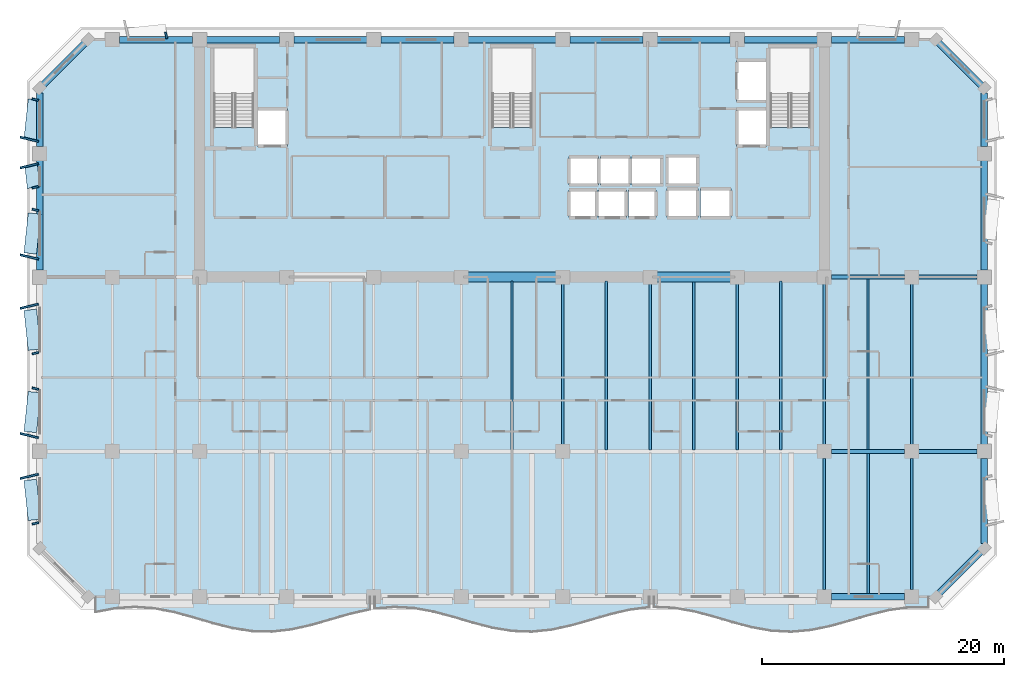
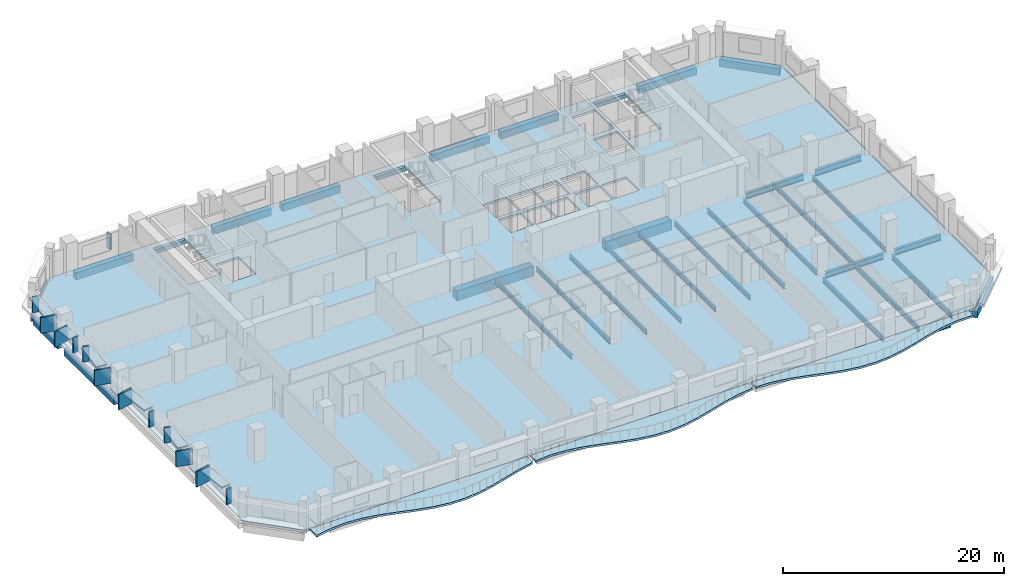
# One storey, part 2 of 14: 38 beams, 19 plates, 4 slabs.
"""IFC4 building model written with IfcOpenShell, lengths in metres."""

from ifc_helpers import new_model, si_unit, direction, frame, origin, origin_2d, place, context, subcontext, project, spatial, polyline, rectangle, i_section, outline, extrude, material, layer, layer_set, material_profile, profile_set, type_object, element, save


model = new_model("IFC4")

# Units and contexts
model_context = context("Model", 3, precision=1e-05, world=origin(), true_north=direction((0.0, 1.0)))
body_context = subcontext(model_context, "Body", "Model", "MODEL_VIEW")
ifc_project = project(units=[si_unit("LENGTHUNIT", "METRE"), si_unit("AREAUNIT", "SQUARE_METRE"), si_unit("VOLUMEUNIT", "CUBIC_METRE"), si_unit("PLANEANGLEUNIT", "RADIAN"), si_unit("MASSUNIT", "GRAM", prefix="KILO")], contexts=[model_context])

# Site, building, storey
site_placement = place(None, origin())
site = spatial("IfcSite", under=ifc_project, at=site_placement, CompositionType="ELEMENT")
building_placement = place(site_placement, origin())
building = spatial("IfcBuilding", under=site, at=building_placement, Name="Kaelvorn Grand Hotel", CompositionType="ELEMENT")
storey_placement = place(building_placement, frame((0.0, 0.0, 161.949951171875)))
storey = spatial("IfcBuildingStorey", under=building, at=storey_placement, Name="L39", CompositionType="ELEMENT", Elevation=161.949951171875)

# Beams
ifc_material_1 = material(Name="Steel S355", Category="steel")
ifc_material_profile_1 = material_profile(ifc_material_1, i_section(OverallWidth=0.300048828125, OverallDepth=0.64990234375, WebThickness=0.01611328125, FlangeThickness=0.031005859375, FilletRadius=0.027099609375, at=origin_2d()), Name="HEB 650")
ifc_profile_set_1 = profile_set([ifc_material_profile_1], Name="Steel S355")
beam_type_1 = type_object("IfcBeamType", Name="BM-G-HEB650-S355", PredefinedType="BEAM", material=ifc_profile_set_1)
beam_1_placement = place(storey_placement, frame((68.385009765625, 15.0, -0.56494140625), z_axis=(1.0, 0.0, 0.0), x_axis=(0.0, 1.0, 0.0)))
element("IfcBeam", 1, at=beam_1_placement, inside=storey, type_object=beam_type_1, Name="L39 Primary Spine Steel Girder G-15 06", PredefinedType="BEAM", context=body_context, shape_type="SweptSolid", body=[
    extrude(i_section(OverallWidth=0.300048828125, OverallDepth=0.64990234375, WebThickness=0.01611328125, FlangeThickness=0.031005859375, FilletRadius=0.027099609375, at=origin_2d()), origin(), (0.0, 0.0, 1.0), 6.030029296875),
])
beam_2_placement = place(storey_placement, frame((75.5849609375, 15.0, -0.56494140625), z_axis=(1.0, 0.0, 0.0), x_axis=(0.0, 1.0, 0.0)))
element("IfcBeam", 2, at=beam_2_placement, inside=storey, type_object=beam_type_1, Name="L39 Primary Spine Steel Girder G-15 07", PredefinedType="BEAM", context=body_context, shape_type="SweptSolid", body=[
    extrude(i_section(OverallWidth=0.300048828125, OverallDepth=0.64990234375, WebThickness=0.01611328125, FlangeThickness=0.031005859375, FilletRadius=0.027099609375, at=origin_2d()), origin(), (0.0, 0.0, 1.0), 4.830078125),
])
beam_3_placement = place(storey_placement, frame((68.385009765625, 29.39990234375, -0.56494140625), z_axis=(1.0, 0.0, 0.0), x_axis=(0.0, 1.0, 0.0)))
element("IfcBeam", 3, at=beam_3_placement, inside=storey, type_object=beam_type_1, Name="L39 East Core Wing Steel Girder G-29E 01", PredefinedType="BEAM", context=body_context, shape_type="SweptSolid", body=[
    extrude(i_section(OverallWidth=0.300048828125, OverallDepth=0.64990234375, WebThickness=0.01611328125, FlangeThickness=0.031005859375, FilletRadius=0.027099609375, at=origin_2d()), origin(), (0.0, 0.0, 1.0), 6.030029296875),
])
beam_4_placement = place(storey_placement, frame((75.5849609375, 29.39990234375, -0.56494140625), z_axis=(1.0, 0.0, 0.0), x_axis=(0.0, 1.0, 0.0)))
element("IfcBeam", 4, at=beam_4_placement, inside=storey, type_object=beam_type_1, Name="L39 East Core Wing Steel Girder G-29E 02", PredefinedType="BEAM", context=body_context, shape_type="SweptSolid", body=[
    extrude(i_section(OverallWidth=0.300048828125, OverallDepth=0.64990234375, WebThickness=0.01611328125, FlangeThickness=0.031005859375, FilletRadius=0.027099609375, at=origin_2d()), origin(), (0.0, 0.0, 1.0), 4.830078125),
])
ifc_material_profile_2 = material_profile(ifc_material_1, i_section(OverallWidth=0.199951171875, OverallDepth=0.5, WebThickness=0.01025390625, FlangeThickness=0.01611328125, FilletRadius=0.02099609375, at=origin_2d()), Name="IPE 500")
ifc_profile_set_2 = profile_set([ifc_material_profile_2], Name="Steel S355")
beam_type_2 = type_object("IfcBeamType", Name="BM-J-IPE500-S355", PredefinedType="JOIST", material=ifc_profile_set_2)
beam_5_placement = place(storey_placement, frame((42.0, 15.135009765625, -0.489990234375), z_axis=(0.0, 1.0, 0.0), x_axis=(-1.0, 0.0, 0.0)))
element("IfcBeam", 5, at=beam_5_placement, inside=storey, type_object=beam_type_2, Name="L39 Composite Floor Joist JM-12", PredefinedType="JOIST", context=body_context, shape_type="SweptSolid", body=[
    extrude(i_section(OverallWidth=0.199951171875, OverallDepth=0.5, WebThickness=0.01025390625, FlangeThickness=0.01611328125, FilletRadius=0.02099609375, at=origin_2d()), origin(), (0.0, 0.0, 1.0), 13.925048828125),
])
beam_6_placement = place(storey_placement, frame((46.199951171875, 15.5849609375, -0.489990234375), z_axis=(0.0, 1.0, 0.0), x_axis=(-1.0, 0.0, 0.0)))
element("IfcBeam", 6, at=beam_6_placement, inside=storey, type_object=beam_type_2, Name="L39 Composite Floor Joist JM-13", PredefinedType="JOIST", context=body_context, shape_type="SweptSolid", body=[
    extrude(i_section(OverallWidth=0.199951171875, OverallDepth=0.5, WebThickness=0.01025390625, FlangeThickness=0.01611328125, FilletRadius=0.02099609375, at=origin_2d()), origin(), (0.0, 0.0, 1.0), 13.22998046875),
])
beam_7_placement = place(storey_placement, frame((49.800048828125, 15.135009765625, -0.489990234375), z_axis=(0.0, 1.0, 0.0), x_axis=(-1.0, 0.0, 0.0)))
element("IfcBeam", 7, at=beam_7_placement, inside=storey, type_object=beam_type_2, Name="L39 Composite Floor Joist JM-14", PredefinedType="JOIST", context=body_context, shape_type="SweptSolid", body=[
    extrude(i_section(OverallWidth=0.199951171875, OverallDepth=0.5, WebThickness=0.01025390625, FlangeThickness=0.01611328125, FilletRadius=0.02099609375, at=origin_2d()), origin(), (0.0, 0.0, 1.0), 13.925048828125),
])
beam_8_placement = place(storey_placement, frame((53.39990234375, 15.135009765625, -0.489990234375), z_axis=(0.0, 1.0, 0.0), x_axis=(-1.0, 0.0, 0.0)))
element("IfcBeam", 8, at=beam_8_placement, inside=storey, type_object=beam_type_2, Name="L39 Composite Floor Joist JM-15", PredefinedType="JOIST", context=body_context, shape_type="SweptSolid", body=[
    extrude(i_section(OverallWidth=0.199951171875, OverallDepth=0.5, WebThickness=0.01025390625, FlangeThickness=0.01611328125, FilletRadius=0.02099609375, at=origin_2d()), origin(), (0.0, 0.0, 1.0), 13.679931640625),
])
beam_9_placement = place(storey_placement, frame((57.0, 15.135009765625, -0.489990234375), z_axis=(0.0, 1.0, 0.0), x_axis=(-1.0, 0.0, 0.0)))
element("IfcBeam", 9, at=beam_9_placement, inside=storey, type_object=beam_type_2, Name="L39 Composite Floor Joist JM-16", PredefinedType="JOIST", context=body_context, shape_type="SweptSolid", body=[
    extrude(i_section(OverallWidth=0.199951171875, OverallDepth=0.5, WebThickness=0.01025390625, FlangeThickness=0.01611328125, FilletRadius=0.02099609375, at=origin_2d()), origin(), (0.0, 0.0, 1.0), 13.925048828125),
])
beam_10_placement = place(storey_placement, frame((60.60009765625, 15.135009765625, -0.489990234375), z_axis=(0.0, 1.0, 0.0), x_axis=(-1.0, 0.0, 0.0)))
element("IfcBeam", 10, at=beam_10_placement, inside=storey, type_object=beam_type_2, Name="L39 Composite Floor Joist JM-17", PredefinedType="JOIST", context=body_context, shape_type="SweptSolid", body=[
    extrude(i_section(OverallWidth=0.199951171875, OverallDepth=0.5, WebThickness=0.01025390625, FlangeThickness=0.01611328125, FilletRadius=0.02099609375, at=origin_2d()), origin(), (0.0, 0.0, 1.0), 13.679931640625),
])
beam_11_placement = place(storey_placement, frame((64.199951171875, 15.135009765625, -0.489990234375), z_axis=(0.0, 1.0, 0.0), x_axis=(-1.0, 0.0, 0.0)))
element("IfcBeam", 11, at=beam_11_placement, inside=storey, type_object=beam_type_2, Name="L39 Composite Floor Joist JM-18", PredefinedType="JOIST", context=body_context, shape_type="SweptSolid", body=[
    extrude(i_section(OverallWidth=0.199951171875, OverallDepth=0.5, WebThickness=0.01025390625, FlangeThickness=0.01611328125, FilletRadius=0.02099609375, at=origin_2d()), origin(), (0.0, 0.0, 1.0), 13.925048828125),
])
beam_12_placement = place(storey_placement, frame((67.800048828125, 15.5849609375, -0.489990234375), z_axis=(0.0, 1.0, 0.0), x_axis=(-1.0, 0.0, 0.0)))
element("IfcBeam", 12, at=beam_12_placement, inside=storey, type_object=beam_type_2, Name="L39 Composite Floor Joist JM-19", PredefinedType="JOIST", context=body_context, shape_type="SweptSolid", body=[
    extrude(i_section(OverallWidth=0.199951171875, OverallDepth=0.5, WebThickness=0.01025390625, FlangeThickness=0.01611328125, FilletRadius=0.02099609375, at=origin_2d()), origin(), (0.0, 0.0, 1.0), 13.22998046875),
])
beam_13_placement = place(storey_placement, frame((71.39990234375, 15.135009765625, -0.489990234375), z_axis=(0.0, 1.0, 0.0), x_axis=(-1.0, 0.0, 0.0)))
element("IfcBeam", 13, at=beam_13_placement, inside=storey, type_object=beam_type_2, Name="L39 Composite Floor Joist JM-20", PredefinedType="JOIST", context=body_context, shape_type="SweptSolid", body=[
    extrude(i_section(OverallWidth=0.199951171875, OverallDepth=0.5, WebThickness=0.01025390625, FlangeThickness=0.01611328125, FilletRadius=0.02099609375, at=origin_2d()), origin(), (0.0, 0.0, 1.0), 14.1298828125),
])
beam_14_placement = place(storey_placement, frame((75.0, 15.5849609375, -0.489990234375), z_axis=(0.0, 1.0, 0.0), x_axis=(-1.0, 0.0, 0.0)))
element("IfcBeam", 14, at=beam_14_placement, inside=storey, type_object=beam_type_2, Name="L39 Composite Floor Joist JM-21", PredefinedType="JOIST", context=body_context, shape_type="SweptSolid", body=[
    extrude(i_section(OverallWidth=0.199951171875, OverallDepth=0.5, WebThickness=0.01025390625, FlangeThickness=0.01611328125, FilletRadius=0.02099609375, at=origin_2d()), origin(), (0.0, 0.0, 1.0), 13.22998046875),
])
ifc_material_profile_3 = material_profile(ifc_material_1, i_section(OverallWidth=0.2099609375, OverallDepth=0.550048828125, WebThickness=0.010986328125, FlangeThickness=0.01708984375, FilletRadius=0.02392578125, at=origin_2d()), Name="IPE 550")
ifc_profile_set_3 = profile_set([ifc_material_profile_3], Name="Steel S355")
beam_type_3 = type_object("IfcBeamType", Name="BM-J-IPE550-S355", PredefinedType="JOIST", material=ifc_profile_set_3)
beam_15_placement = place(storey_placement, frame((67.800048828125, 3.5849609375, -0.514892578125), z_axis=(0.0, 1.0, 0.0), x_axis=(-1.0, 0.0, 0.0)))
element("IfcBeam", 15, at=beam_15_placement, inside=storey, type_object=beam_type_3, Name="L39 Composite Floor Joist JS-19", PredefinedType="JOIST", context=body_context, shape_type="SweptSolid", body=[
    extrude(i_section(OverallWidth=0.2099609375, OverallDepth=0.550048828125, WebThickness=0.010986328125, FlangeThickness=0.01708984375, FilletRadius=0.02392578125, at=origin_2d()), origin(), (0.0, 0.0, 1.0), 10.830078125),
])
beam_16_placement = place(storey_placement, frame((71.39990234375, 3.260009765625, -0.514892578125), z_axis=(0.0, 1.0, 0.0), x_axis=(-1.0, 0.0, 0.0)))
element("IfcBeam", 16, at=beam_16_placement, inside=storey, type_object=beam_type_3, Name="L39 Composite Floor Joist JS-20", PredefinedType="JOIST", context=body_context, shape_type="SweptSolid", body=[
    extrude(i_section(OverallWidth=0.2099609375, OverallDepth=0.550048828125, WebThickness=0.010986328125, FlangeThickness=0.01708984375, FilletRadius=0.02392578125, at=origin_2d()), origin(), (0.0, 0.0, 1.0), 11.60498046875),
])
beam_17_placement = place(storey_placement, frame((75.0, 3.5849609375, -0.514892578125), z_axis=(0.0, 1.0, 0.0), x_axis=(-1.0, 0.0, 0.0)))
element("IfcBeam", 17, at=beam_17_placement, inside=storey, type_object=beam_type_3, Name="L39 Composite Floor Joist JS-21", PredefinedType="JOIST", context=body_context, shape_type="SweptSolid", body=[
    extrude(i_section(OverallWidth=0.2099609375, OverallDepth=0.550048828125, WebThickness=0.010986328125, FlangeThickness=0.01708984375, FilletRadius=0.02392578125, at=origin_2d()), origin(), (0.0, 0.0, 1.0), 10.830078125),
])
ifc_material_2 = material(Name="Concrete C60/75", Category="concrete")
ifc_material_profile_4 = material_profile(ifc_material_2, rectangle(XDim=0.800048828125, YDim=1.10009765625, at=origin_2d()), Name="RC LINTEL 800x1100")
ifc_profile_set_4 = profile_set([ifc_material_profile_4], Name="Concrete C60/75")
beam_type_4 = type_object("IfcBeamType", Name="BM-LIN-800x1100-C60", PredefinedType="LINTEL", material=ifc_profile_set_4)
beam_18_placement = place(storey_placement, frame((37.97998046875, 29.39990234375, -0.7900390625), z_axis=(1.0, 0.0, 0.0), x_axis=(0.0, 1.0, 0.0)))
element("IfcBeam", 18, at=beam_18_placement, inside=storey, type_object=beam_type_4, Name="L39 Rear-Core Coupling Lintel Beam CB1-02", PredefinedType="LINTEL", context=body_context, shape_type="SweptSolid", body=[
    extrude(rectangle(XDim=0.800048828125, YDim=1.10009765625, at=origin_2d()), origin(), (0.0, 0.0, 1.0), 8.0400390625),
])
beam_19_placement = place(storey_placement, frame((53.580078125, 29.39990234375, -0.7900390625), z_axis=(1.0, 0.0, 0.0), x_axis=(0.0, 1.0, 0.0)))
element("IfcBeam", 19, at=beam_19_placement, inside=storey, type_object=beam_type_4, Name="L39 Rear-Core Coupling Lintel Beam CB1-03", PredefinedType="LINTEL", context=body_context, shape_type="SweptSolid", body=[
    extrude(rectangle(XDim=0.800048828125, YDim=1.10009765625, at=origin_2d()), origin(), (0.0, 0.0, 1.0), 6.83984375),
])
ifc_material_3 = material(Name="Concrete C50/60", Category="concrete")
ifc_material_profile_5 = material_profile(ifc_material_3, rectangle(XDim=0.550048828125, YDim=0.800048828125, at=origin_2d()), Name="RC SPANDREL 550x800")
ifc_profile_set_5 = profile_set([ifc_material_profile_5], Name="Concrete C50/60")
beam_type_5 = type_object("IfcBeamType", Name="BM-SP-550x800-C50", PredefinedType="SPANDREL", material=ifc_profile_set_5)
for number, where, z_axis, x_axis, name in (
    (20, (68.385009765625, 3.0, -0.639892578125), (1.0, 0.0, 0.0), (0.0, 1.0, 0.0), "L39 South Perimeter Spandrel 10"),
    (21, (9.5849609375, 49.0, -0.639892578125), (1.0, 0.0, 0.0), (0.0, 1.0, 0.0), "L39 North Perimeter Spandrel 02"),
    (22, (16.784912109375, 49.0, -0.639892578125), (1.0, 0.0, 0.0), (0.0, 1.0, 0.0), "L39 North Perimeter Spandrel 03"),
):
    element("IfcBeam", number, at=place(storey_placement, frame(where, z_axis=z_axis, x_axis=x_axis)), inside=storey, type_object=beam_type_5, Name=name, PredefinedType="SPANDREL", context=body_context, shape_type="SweptSolid", body=[
        extrude(rectangle(XDim=0.550048828125, YDim=0.800048828125, at=origin_2d()), origin(), (0.0, 0.0, 1.0), 6.030029296875),
    ])
beam_20_placement = place(storey_placement, frame((23.985107421875, 49.0, -0.639892578125), z_axis=(1.0, 0.0, 0.0), x_axis=(0.0, 1.0, 0.0)))
element("IfcBeam", 23, at=beam_20_placement, inside=storey, type_object=beam_type_5, Name="L39 North Perimeter Spandrel 04", PredefinedType="SPANDREL", context=body_context, shape_type="SweptSolid", body=[
    extrude(rectangle(XDim=0.550048828125, YDim=0.800048828125, at=origin_2d()), origin(), (0.0, 0.0, 1.0), 6.02978515625),
])
beam_21_placement = place(storey_placement, frame((31.18505859375, 49.0, -0.639892578125), z_axis=(1.0, 0.0, 0.0), x_axis=(0.0, 1.0, 0.0)))
element("IfcBeam", 24, at=beam_21_placement, inside=storey, type_object=beam_type_5, Name="L39 North Perimeter Spandrel 05", PredefinedType="SPANDREL", context=body_context, shape_type="SweptSolid", body=[
    extrude(rectangle(XDim=0.550048828125, YDim=0.800048828125, at=origin_2d()), origin(), (0.0, 0.0, 1.0), 6.030029296875),
])
beam_22_placement = place(storey_placement, frame((38.385009765625, 49.0, -0.639892578125), z_axis=(1.0, 0.0, 0.0), x_axis=(0.0, 1.0, 0.0)))
element("IfcBeam", 25, at=beam_22_placement, inside=storey, type_object=beam_type_5, Name="L39 North Perimeter Spandrel 06", PredefinedType="SPANDREL", context=body_context, shape_type="SweptSolid", body=[
    extrude(rectangle(XDim=0.550048828125, YDim=0.800048828125, at=origin_2d()), origin(), (0.0, 0.0, 1.0), 7.22998046875),
])
beam_23_placement = place(storey_placement, frame((46.784912109375, 49.0, -0.639892578125), z_axis=(1.0, 0.0, 0.0), x_axis=(0.0, 1.0, 0.0)))
element("IfcBeam", 26, at=beam_23_placement, inside=storey, type_object=beam_type_5, Name="L39 North Perimeter Spandrel 07", PredefinedType="SPANDREL", context=body_context, shape_type="SweptSolid", body=[
    extrude(rectangle(XDim=0.550048828125, YDim=0.800048828125, at=origin_2d()), origin(), (0.0, 0.0, 1.0), 6.030029296875),
])
beam_24_placement = place(storey_placement, frame((53.985107421875, 49.0, -0.639892578125), z_axis=(1.0, 0.0, 0.0), x_axis=(0.0, 1.0, 0.0)))
element("IfcBeam", 27, at=beam_24_placement, inside=storey, type_object=beam_type_5, Name="L39 North Perimeter Spandrel 08", PredefinedType="SPANDREL", context=body_context, shape_type="SweptSolid", body=[
    extrude(rectangle(XDim=0.550048828125, YDim=0.800048828125, at=origin_2d()), origin(), (0.0, 0.0, 1.0), 6.02978515625),
])
for number, where, z_axis, x_axis, name in (
    (28, (61.18505859375, 49.0, -0.639892578125), (1.0, 0.0, 0.0), (0.0, 1.0, 0.0), "L39 North Perimeter Spandrel 09"),
    (29, (68.385009765625, 49.0, -0.639892578125), (1.0, 0.0, 0.0), (0.0, 1.0, 0.0), "L39 North Perimeter Spandrel 10"),
):
    element("IfcBeam", number, at=place(storey_placement, frame(where, z_axis=z_axis, x_axis=x_axis)), inside=storey, type_object=beam_type_5, Name=name, PredefinedType="SPANDREL", context=body_context, shape_type="SweptSolid", body=[
        extrude(rectangle(XDim=0.550048828125, YDim=0.800048828125, at=origin_2d()), origin(), (0.0, 0.0, 1.0), 6.030029296875),
    ])
beam_25_placement = place(storey_placement, frame((3.0, 29.985107421875, -0.639892578125), z_axis=(0.0, 1.0, 0.0), x_axis=(-1.0, 0.0, 0.0)))
element("IfcBeam", 30, at=beam_25_placement, inside=storey, type_object=beam_type_5, Name="L39 West Perimeter Spandrel 03", PredefinedType="SPANDREL", context=body_context, shape_type="SweptSolid", body=[
    extrude(rectangle(XDim=0.550048828125, YDim=0.800048828125, at=origin_2d()), origin(), (0.0, 0.0, 1.0), 9.02978515625),
])
beam_26_placement = place(storey_placement, frame((3.0, 40.18505859375, -0.639892578125), z_axis=(0.0, 1.0, 0.0), x_axis=(-1.0, 0.0, 0.0)))
element("IfcBeam", 31, at=beam_26_placement, inside=storey, type_object=beam_type_5, Name="L39 West Perimeter Spandrel 04", PredefinedType="SPANDREL", context=body_context, shape_type="SweptSolid", body=[
    extrude(rectangle(XDim=0.550048828125, YDim=0.800048828125, at=origin_2d()), origin(), (0.0, 0.0, 1.0), 4.409912109375),
])
beam_27_placement = place(storey_placement, frame((81.0, 7.405029296875, -0.639892578125), z_axis=(0.0, 1.0, 0.0), x_axis=(-1.0, 0.0, 0.0)))
element("IfcBeam", 32, at=beam_27_placement, inside=storey, type_object=beam_type_5, Name="L39 East Perimeter Spandrel 01", PredefinedType="SPANDREL", context=body_context, shape_type="SweptSolid", body=[
    extrude(rectangle(XDim=0.550048828125, YDim=0.800048828125, at=origin_2d()), origin(), (0.0, 0.0, 1.0), 7.010009765625),
])
beam_28_placement = place(storey_placement, frame((81.0, 15.5849609375, -0.639892578125), z_axis=(0.0, 1.0, 0.0), x_axis=(-1.0, 0.0, 0.0)))
element("IfcBeam", 33, at=beam_28_placement, inside=storey, type_object=beam_type_5, Name="L39 East Perimeter Spandrel 02", PredefinedType="SPANDREL", context=body_context, shape_type="SweptSolid", body=[
    extrude(rectangle(XDim=0.550048828125, YDim=0.800048828125, at=origin_2d()), origin(), (0.0, 0.0, 1.0), 13.22998046875),
])
beam_29_placement = place(storey_placement, frame((81.0, 29.985107421875, -0.639892578125), z_axis=(0.0, 1.0, 0.0), x_axis=(-1.0, 0.0, 0.0)))
element("IfcBeam", 34, at=beam_29_placement, inside=storey, type_object=beam_type_5, Name="L39 East Perimeter Spandrel 03", PredefinedType="SPANDREL", context=body_context, shape_type="SweptSolid", body=[
    extrude(rectangle(XDim=0.550048828125, YDim=0.800048828125, at=origin_2d()), origin(), (0.0, 0.0, 1.0), 9.02978515625),
])
beam_30_placement = place(storey_placement, frame((81.0, 40.18505859375, -0.639892578125), z_axis=(0.0, 1.0, 0.0), x_axis=(-1.0, 0.0, 0.0)))
element("IfcBeam", 35, at=beam_30_placement, inside=storey, type_object=beam_type_5, Name="L39 East Perimeter Spandrel 04", PredefinedType="SPANDREL", context=body_context, shape_type="SweptSolid", body=[
    extrude(rectangle(XDim=0.550048828125, YDim=0.800048828125, at=origin_2d()), origin(), (0.0, 0.0, 1.0), 4.409912109375),
])
for number, where, z_axis, x_axis, name in (
    (36, (77.0, 3.0, -0.639892578125), (0.707106781187, 0.707106781187, 0.0), (-0.707106781187, 0.707106781187, 0.0), "L39 Chamfer Spandrel Beam 1"),
    (37, (81.0, 45.0, -0.639892578125), (-0.707106781187, 0.707106781187, 0.0), (-0.707106781187, -0.707106781187, 0.0), "L39 Chamfer Spandrel Beam 2"),
    (38, (7.0, 49.0, -0.639892578125), (-0.707106781187, -0.707106781187, 0.0), (0.707106781187, -0.707106781187, 0.0), "L39 Chamfer Spandrel Beam 3"),
):
    element("IfcBeam", number, at=place(storey_placement, frame(where, z_axis=z_axis, x_axis=x_axis)), inside=storey, type_object=beam_type_5, Name=name, PredefinedType="SPANDREL", context=body_context, shape_type="SweptSolid", body=[
        extrude(rectangle(XDim=0.550048828125, YDim=0.800048828125, at=origin_2d()), origin(), (0.0, 0.0, 1.0), 5.65673828125),
    ])

# Plates
ifc_material_4 = material(Name="Precast concrete C45/55", Category="concrete")
ifc_layer_1 = layer(ifc_material_4, 0.159912109375)
ifc_layer_set_1 = layer_set([ifc_layer_1], Name="Precast concrete C45/55")
plate_type_1 = type_object("IfcPlateType", Name="PL-FRAME-DEEP-1550", PredefinedType="USERDEFINED", material=ifc_layer_set_1)
for number, where, z_axis, x_axis, name in (
    (39, (2.14501953125, 12.93994140625, 0.81494140625), (0.0, 0.0, 1.0), (-0.233445363856, 0.972369920398, 0.0), "L39 Tilted Precast Window Frame Fin R-W01"),
    (40, (2.14501953125, 16.31005859375, 0.81494140625), (0.0, 0.0, 1.0), (0.233445363856, 0.972369920398, 0.0), "L39 Tilted Precast Window Frame Fin L-W02"),
    (41, (2.14501953125, 26.989990234375, 0.81494140625), (0.0, 0.0, 1.0), (-0.233445363856, 0.972369920398, 0.0), "L39 Tilted Precast Window Frame Fin R-W03"),
    (42, (2.14501953125, 31.06005859375, 0.81494140625), (0.0, 0.0, 1.0), (0.233445363856, 0.972369920398, 0.0), "L39 Tilted Precast Window Frame Fin L-W04"),
    (43, (2.14501953125, 38.590087890625, 0.68994140625), (0.0, 0.0, 1.0), (-0.233445363856, 0.972369920398, 0.0), "L39 Tilted Precast Window Frame Fin R-W05"),
    (44, (2.14501953125, 40.77490234375, 0.740234375), (0.0, 0.0, 1.0), (0.233445363856, 0.972369920398, 0.0), "L39 Tilted Precast Window Frame Fin L-W06"),
):
    element("IfcPlate", number, at=place(storey_placement, frame(where, z_axis=z_axis, x_axis=x_axis)), inside=storey, type_object=plate_type_1, Name=name, ObjectType="FLANGE_PLATE", PredefinedType="USERDEFINED", context=body_context, shape_type="SweptSolid", body=[
        extrude(rectangle(XDim=0.159912109375, YDim=1.550048828125, at=origin_2d()), origin(), (0.0, 0.0, 1.0), 1.719970703125),
    ])
ifc_layer_2 = layer(ifc_material_4, 0.159912109375)
ifc_layer_set_2 = layer_set([ifc_layer_2], Name="Precast concrete C45/55")
plate_type_2 = type_object("IfcPlateType", Name="PL-FRAME-HEAD-1050", PredefinedType="USERDEFINED", material=ifc_layer_set_2)
for number, where, z_axis, x_axis, name in (
    (45, (2.39501953125, 11.0, 2.5), (0.0, 0.0, 1.0), (-0.105830199459, 0.994384215926, 0.0), "L39 Precast Window Frame Head Hood H-W01"),
    (46, (2.39501953125, 18.25, 2.5), (0.0, 0.0, 1.0), (0.105830199459, 0.994384215926, 0.0), "L39 Precast Window Frame Head Hood H-W02"),
    (47, (2.39501953125, 25.050048828125, 2.5), (0.0, 0.0, 1.0), (-0.105830199459, 0.994384215926, 0.0), "L39 Precast Window Frame Head Hood H-W03"),
    (48, (2.39501953125, 33.0, 2.5), (0.0, 0.0, 1.0), (0.105830199459, 0.994384215926, 0.0), "L39 Precast Window Frame Head Hood H-W04"),
):
    element("IfcPlate", number, at=place(storey_placement, frame(where, z_axis=z_axis, x_axis=x_axis)), inside=storey, type_object=plate_type_2, Name=name, ObjectType="FLANGE_PLATE", PredefinedType="USERDEFINED", context=body_context, shape_type="SweptSolid", body=[
        extrude(rectangle(XDim=3.320068359375, YDim=1.050048828125, at=origin_2d()), origin(), (0.0, 0.0, 1.0), 0.159912109375),
    ])
plate_1_placement = place(storey_placement, frame((2.39501953125, 37.699951171875, 2.25), z_axis=(0.0, 0.0, 1.0), x_axis=(-0.105830199459, 0.994384215926, 0.0)))
element("IfcPlate", 49, at=plate_1_placement, inside=storey, type_object=plate_type_2, Name="L39 Precast Window Frame Head Hood H-W05", ObjectType="FLANGE_PLATE", PredefinedType="USERDEFINED", context=body_context, shape_type="SweptSolid", body=[
    extrude(rectangle(XDim=1.860107421875, YDim=1.050048828125, at=origin_2d()), origin(), (0.0, 0.0, 1.0), 0.159912109375),
])
plate_2_placement = place(storey_placement, frame((2.39501953125, 42.4150390625, 2.35009765625), z_axis=(0.0, 0.0, 1.0), x_axis=(0.105830199459, 0.994384215926, 0.0)))
element("IfcPlate", 50, at=plate_2_placement, inside=storey, type_object=plate_type_2, Name="L39 Precast Window Frame Head Hood H-W06", ObjectType="FLANGE_PLATE", PredefinedType="USERDEFINED", context=body_context, shape_type="SweptSolid", body=[
    extrude(rectangle(XDim=3.320068359375, YDim=1.050048828125, at=origin_2d()), origin(), (0.0, 0.0, 1.0), 0.159912109375),
])
ifc_layer_3 = layer(ifc_material_4, 0.159912109375)
ifc_layer_set_3 = layer_set([ifc_layer_3], Name="Precast concrete C45/55")
plate_type_3 = type_object("IfcPlateType", Name="PL-FRAME-SHAL-550", PredefinedType="USERDEFINED", material=ifc_layer_set_3)
for number, where, z_axis, x_axis, name in (
    (51, (2.64501953125, 9.06005859375, 0.81494140625), (0.0, 0.0, 1.0), (-0.233445363856, 0.972369920398, 0.0), "L39 Tilted Precast Window Frame Fin L-W01"),
    (52, (2.64501953125, 20.18994140625, 0.81494140625), (0.0, 0.0, 1.0), (0.233445363856, 0.972369920398, 0.0), "L39 Tilted Precast Window Frame Fin R-W02"),
    (53, (2.64501953125, 23.110107421875, 0.81494140625), (0.0, 0.0, 1.0), (-0.233445363856, 0.972369920398, 0.0), "L39 Tilted Precast Window Frame Fin L-W03"),
    (54, (2.64501953125, 34.93994140625, 0.81494140625), (0.0, 0.0, 1.0), (0.233445363856, 0.972369920398, 0.0), "L39 Tilted Precast Window Frame Fin R-W04"),
    (55, (2.64501953125, 36.81005859375, 0.68994140625), (0.0, 0.0, 1.0), (-0.233445363856, 0.972369920398, 0.0), "L39 Tilted Precast Window Frame Fin L-W05"),
    (56, (2.64501953125, 44.054931640625, 0.740234375), (0.0, 0.0, 1.0), (0.233445363856, 0.972369920398, 0.0), "L39 Tilted Precast Window Frame Fin R-W06"),
    (57, (13.43994140625, 49.35498046875, 0.740234375), (0.0, 0.0, 1.0), (0.972369920398, 0.233445363856, 0.0), "L39 Tilted Precast Window Frame Fin R-N01"),
):
    element("IfcPlate", number, at=place(storey_placement, frame(where, z_axis=z_axis, x_axis=x_axis)), inside=storey, type_object=plate_type_3, Name=name, ObjectType="FLANGE_PLATE", PredefinedType="USERDEFINED", context=body_context, shape_type="SweptSolid", body=[
        extrude(rectangle(XDim=0.159912109375, YDim=0.550048828125, at=origin_2d()), origin(), (0.0, 0.0, 1.0), 1.719970703125),
    ])

# Slabs
ifc_material_5 = material(Name="Concrete C40/50", Category="concrete")
ifc_layer_4 = layer(ifc_material_5, 0.219970703125)
ifc_layer_set_4 = layer_set([ifc_layer_4], Name="Concrete C40/50")
slab_type_1 = type_object("IfcSlabType", Name="SLB-BALC-220-C40", PredefinedType="FLOOR", material=ifc_layer_set_4)
slab_1_placement = place(storey_placement, frame((0.0, 0.0, -0.219970703125)))
element("IfcSlab", 58, at=slab_1_placement, inside=storey, type_object=slab_type_1, Name="L39 Scalloped Wave Balcony Slab 1", PredefinedType="FLOOR", context=body_context, shape_type="SweptSolid", body=[
    extrude(outline(polyline([(7.60009765625, 1.7275390625), (9.218994140625, 2.0380859375), (10.838134765625, 2.14990234375), (12.45703125, 2.03857421875), (14.076171875, 1.728515625), (15.6953125, 1.286865234375), (17.314208984375, 0.809814453125), (18.933349609375, 0.401611328125), (20.552490234375, 0.15087890625), (22.17138671875, 0.1123046875), (23.79052734375, 0.294189453125), (25.409423828125, 0.656982421875), (27.028564453125, 1.12158203125), (28.647705078125, 1.587158203125), (30.2666015625, 1.951904296875), (30.2666015625, 3.0), (7.60009765625, 3.0), (7.60009765625, 1.7275390625)])), origin(), (0.0, 0.0, 1.0), 0.219970703125),
])
slab_2_placement = place(storey_placement, frame((0.0, 0.0, -0.219970703125)))
element("IfcSlab", 59, at=slab_2_placement, inside=storey, type_object=slab_type_1, Name="L39 Scalloped Wave Balcony Slab 2", PredefinedType="FLOOR", context=body_context, shape_type="SweptSolid", body=[
    extrude(outline(polyline([(30.666748046875, 2.0166015625), (32.28564453125, 2.14892578125), (33.90478515625, 2.058349609375), (35.52392578125, 1.764404296875), (37.142822265625, 1.33154296875), (38.761962890625, 0.853515625), (40.380859375, 0.4345703125), (42.0, 0.166015625), (43.619140625, 0.106201171875), (45.238037109375, 0.268310546875), (46.857177734375, 0.616943359375), (48.47607421875, 1.076171875), (50.09521484375, 1.546142578125), (51.71435546875, 1.92431640625), (53.333251953125, 2.12841796875), (53.333251953125, 3.0), (30.666748046875, 3.0), (30.666748046875, 2.0166015625)])), origin(), (0.0, 0.0, 1.0), 0.219970703125),
])
slab_3_placement = place(storey_placement, frame((0.0, 0.0, -0.219970703125)))
element("IfcSlab", 60, at=slab_3_placement, inside=storey, type_object=slab_type_1, Name="L39 Scalloped Wave Balcony Slab 3", PredefinedType="FLOOR", context=body_context, shape_type="SweptSolid", body=[
    extrude(outline(polyline([(53.7333984375, 2.14599609375), (55.352294921875, 2.076171875), (56.971435546875, 1.79931640625), (58.590576171875, 1.375732421875), (60.20947265625, 0.8974609375), (61.82861328125, 0.46875), (63.447509765625, 0.182861328125), (65.066650390625, 0.102294921875), (66.685791015625, 0.244140625), (68.3046875, 0.577880859375), (69.923828125, 1.03076171875), (71.54296875, 1.504150390625), (73.161865234375, 1.89501953125), (74.781005859375, 2.1181640625), (76.39990234375, 2.125), (76.39990234375, 3.0), (53.7333984375, 3.0), (53.7333984375, 2.14599609375)])), origin(), (0.0, 0.0, 1.0), 0.219970703125),
])
ifc_layer_5 = layer(ifc_material_5, 0.239990234375)
ifc_layer_set_5 = layer_set([ifc_layer_5], Name="Concrete C40/50")
slab_type_2 = type_object("IfcSlabType", Name="SLB-FLR-240-C40", PredefinedType="FLOOR", material=ifc_layer_set_5)
slab_4_placement = place(storey_placement, frame((0.0, 0.0, -0.239990234375)))
element("IfcSlab", 61, at=slab_4_placement, inside=storey, type_object=slab_type_2, Name="L39 Indoor Suspended Floor Slab", PredefinedType="FLOOR", context=body_context, shape_type="SweptSolid", body=[
    extrude(outline(polyline([(7.0, 3.0), (77.0, 3.0), (81.0, 7.0), (81.0, 45.0), (77.0, 49.0), (7.0, 49.0), (3.0, 45.0), (3.0, 7.0), (7.0, 3.0)]), holes=[polyline([(17.39990234375, 41.760009765625), (17.39990234375, 48.300048828125), (20.679931640625, 48.300048828125), (20.679931640625, 41.760009765625), (17.39990234375, 41.760009765625)]), polyline([(40.360107421875, 41.760009765625), (40.360107421875, 48.300048828125), (43.639892578125, 48.300048828125), (43.639892578125, 41.760009765625), (40.360107421875, 41.760009765625)]), polyline([(63.320068359375, 41.760009765625), (63.320068359375, 48.300048828125), (66.60009765625, 48.300048828125), (66.60009765625, 41.760009765625), (63.320068359375, 41.760009765625)]), polyline([(46.699951171875, 34.300048828125), (46.699951171875, 36.60009765625), (49.0, 36.60009765625), (49.0, 34.300048828125), (46.699951171875, 34.300048828125)]), polyline([(49.14990234375, 34.300048828125), (49.14990234375, 36.60009765625), (51.449951171875, 36.60009765625), (51.449951171875, 34.300048828125), (49.14990234375, 34.300048828125)]), polyline([(51.60009765625, 34.300048828125), (51.60009765625, 36.60009765625), (53.89990234375, 36.60009765625), (53.89990234375, 34.300048828125), (51.60009765625, 34.300048828125)]), polyline([(46.699951171875, 37.0), (46.699951171875, 39.35009765625), (49.14990234375, 39.35009765625), (49.14990234375, 37.0), (46.699951171875, 37.0)]), polyline([(49.300048828125, 37.0), (49.300048828125, 39.35009765625), (51.75, 39.35009765625), (51.75, 37.0), (49.300048828125, 37.0)]), polyline([(51.89990234375, 37.0), (51.89990234375, 39.35009765625), (54.35009765625, 39.35009765625), (54.35009765625, 37.0), (51.89990234375, 37.0)]), polyline([(54.800048828125, 34.300048828125), (54.800048828125, 36.699951171875), (57.35009765625, 36.699951171875), (57.35009765625, 34.300048828125), (54.800048828125, 34.300048828125)]), polyline([(57.550048828125, 34.300048828125), (57.550048828125, 36.699951171875), (60.10009765625, 36.699951171875), (60.10009765625, 34.300048828125), (57.550048828125, 34.300048828125)]), polyline([(54.800048828125, 37.0), (54.800048828125, 39.39990234375), (57.35009765625, 39.39990234375), (57.35009765625, 37.0), (54.800048828125, 37.0)]), polyline([(21.0, 40.199951171875), (21.0, 43.300048828125), (23.449951171875, 43.300048828125), (23.449951171875, 40.199951171875), (21.0, 40.199951171875)]), polyline([(60.550048828125, 40.199951171875), (60.550048828125, 43.300048828125), (63.0, 43.300048828125), (63.0, 40.199951171875), (60.550048828125, 40.199951171875)]), polyline([(60.550048828125, 43.89990234375), (60.550048828125, 47.300048828125), (63.0, 47.300048828125), (63.0, 43.89990234375), (60.550048828125, 43.89990234375)])]), origin(), (0.0, 0.0, 1.0), 0.239990234375),
])

save(model, "model.ifc")
